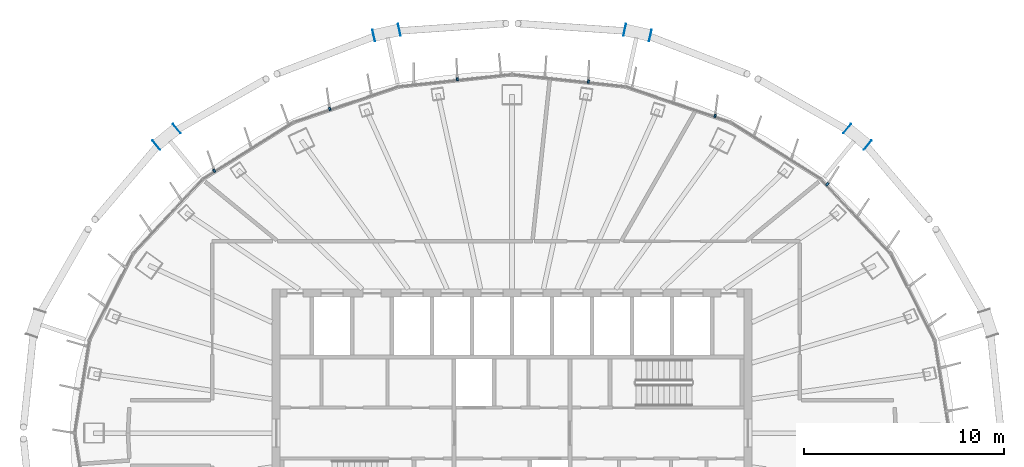
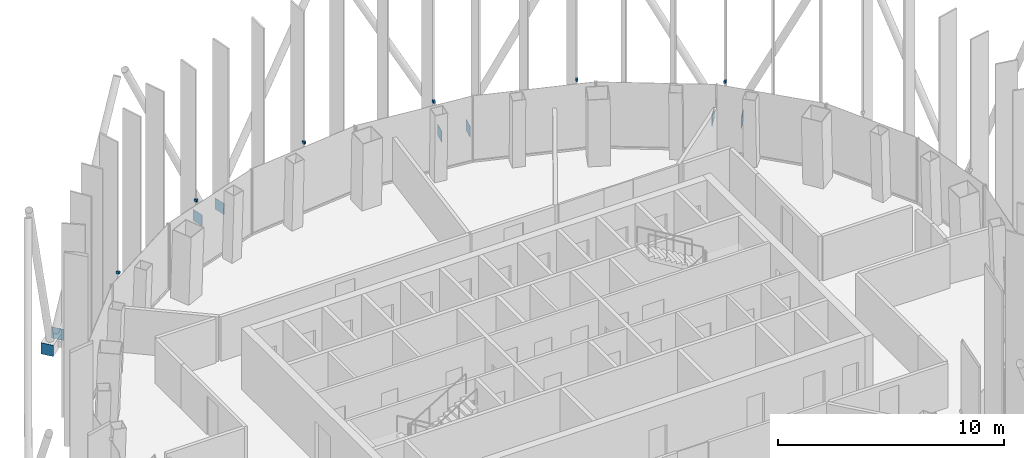
# One storey, part 15 of 19: 14 discrete accessories.
"""IFC4 building model written with IfcOpenShell, lengths in metres."""

from ifc_helpers import new_model, si_unit, direction, frame, origin, origin_2d, place, context, subcontext, project, spatial, rectangle, extrude, material, layer, layer_set, type_object, element, save


model = new_model("IFC4")

# Units and contexts
model_context = context("Model", 3, precision=1e-05, world=origin(), true_north=direction((0.0, 1.0)))
body_context = subcontext(model_context, "Body", "Model", "MODEL_VIEW")
ifc_project = project(units=[si_unit("LENGTHUNIT", "METRE"), si_unit("AREAUNIT", "SQUARE_METRE"), si_unit("VOLUMEUNIT", "CUBIC_METRE"), si_unit("PLANEANGLEUNIT", "RADIAN"), si_unit("MASSUNIT", "GRAM", prefix="KILO")], contexts=[model_context])

# Site, building, storey
site_placement = place(None, origin())
site = spatial("IfcSite", under=ifc_project, at=site_placement, CompositionType="ELEMENT")
building_placement = place(site_placement, origin())
building = spatial("IfcBuilding", under=site, at=building_placement, Name="Siaravel Broadcast Tower", CompositionType="ELEMENT")
storey_placement = place(building_placement, frame((0.0, 0.0, 217.10009765625)))
storey = spatial("IfcBuildingStorey", under=building, at=storey_placement, Name="L52", CompositionType="ELEMENT", Elevation=217.10009765625)

# Discrete accessories
ifc_material_1 = material(Name="Stainless steel 316", Category="steel")
discrete_accessory_type_1 = type_object("IfcDiscreteAccessoryType", Name="Stainless steel fin bracket", PredefinedType="USERDEFINED", material=ifc_material_1)
for number, where, z_axis, x_axis, name in (
    (1, (15.777099609375, 12.448486328125, 3.6748046875), (0.0, 0.0, 1.0), (0.729805608, 0.683654718, 0.0), "Fin bracket L52-07"),
    (2, (10.1572265625, 15.864013671875, 3.6748046875), (0.0, 0.0, 1.0), (0.321300635, 0.946977245, 0.0), "Fin bracket L52-10"),
    (3, (3.82373046875, 17.584228515625, 3.6748046875), (0.0, 0.0, 1.0), (0.107218518, 0.99423548, 0.0), "Fin bracket L52-13"),
    (4, (-2.733154296875, 17.701904296875, 3.6748046875), (0.0, 0.0, 1.0), (-0.107218518, 0.99423548, 0.0), "Fin bracket L52-16"),
    (5, (-9.118408203125, 16.21630859375, 3.6748046875), (0.0, 0.0, 1.0), (-0.321300635, 0.946977245, 0.0), "Fin bracket L52-19"),
    (6, (-14.898681640625, 13.11767578125, 3.6748046875), (0.0, 0.0, 1.0), (-0.532149452, 0.846650436, 0.0), "Fin bracket L52-22"),
):
    element("IfcDiscreteAccessory", number, at=place(storey_placement, frame(where, z_axis=z_axis, x_axis=x_axis)), inside=storey, type_object=discrete_accessory_type_1, Name=name, ObjectType="BRACKET", PredefinedType="USERDEFINED", context=body_context, shape_type="SweptSolid", body=[
        extrude(rectangle(XDim=0.159912109375, YDim=0.10009765625, at=origin_2d()), origin(), (0.0, 0.0, 1.0), 0.139892578125),
    ])
ifc_material_2 = material(Name="Steel S355", Category="steel")
ifc_layer = layer(ifc_material_2, 0.02001953125)
ifc_layer_set = layer_set([ifc_layer], Name="Steel S355")
discrete_accessory_type_2 = type_object("IfcDiscreteAccessoryType", Name="Steel end plate 20 mm", PredefinedType="USERDEFINED", material=ifc_layer_set)
for number, where, z_axis, x_axis, name in (
    (7, (16.77099609375, 15.231201171875, -0.500244140625), (0.0, 0.0, 1.0), (-0.7736058, 0.633667158, 0.0), "End plate R22 station 09A"),
    (8, (17.787109375, 14.399169921875, -0.500244140625), (0.0, 0.0, 1.0), (-0.7736058, 0.633667158, 0.0), "End plate R22 station 09B"),
    (9, (5.637451171875, 20.1708984375, -0.500244140625), (0.0, 0.0, 1.0), (-0.976750917, 0.214377344, 0.0), "End plate R22 station 15A"),
    (10, (6.92041015625, 19.88916015625, -0.500244140625), (0.0, 0.0, 1.0), (-0.976750917, 0.214377344, 0.0), "End plate R22 station 15B"),
    (11, (-6.92041015625, 19.88916015625, -0.500244140625), (0.0, 0.0, 1.0), (-0.976750917, -0.214377344, 0.0), "End plate R22 station 21A"),
    (12, (-5.637451171875, 20.1708984375, -0.500244140625), (0.0, 0.0, 1.0), (-0.976750917, -0.214377344, 0.0), "End plate R22 station 21B"),
    (13, (-17.787109375, 14.399169921875, -0.500244140625), (0.0, 0.0, 1.0), (-0.7736058, -0.633667158, 0.0), "End plate R22 station 27A"),
    (14, (-16.77099609375, 15.231201171875, -0.500244140625), (0.0, 0.0, 1.0), (-0.7736058, -0.633667158, 0.0), "End plate R22 station 27B"),
):
    element("IfcDiscreteAccessory", number, at=place(storey_placement, frame(where, z_axis=z_axis, x_axis=x_axis)), inside=storey, type_object=discrete_accessory_type_2, Name=name, ObjectType="END PLATE", PredefinedType="USERDEFINED", context=body_context, shape_type="SweptSolid", body=[
        extrude(rectangle(XDim=0.02001953125, YDim=0.60009765625, at=origin_2d()), origin(), (0.0, 0.0, 1.0), 0.60009765625),
    ])

save(model, "model.ifc")
